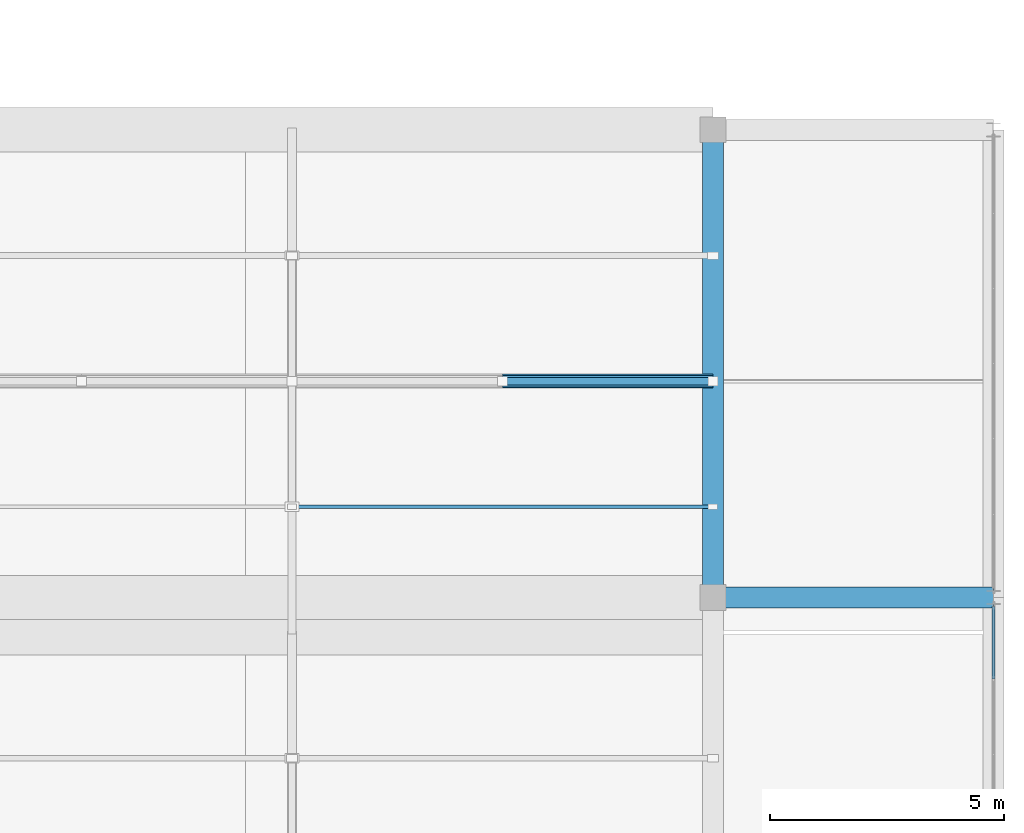
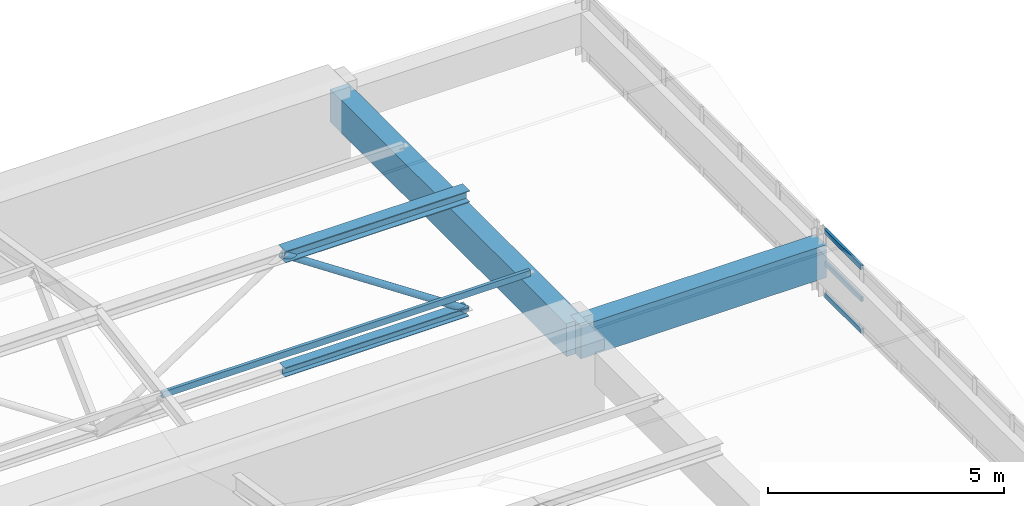
# One storey, part 58 of 82: 7 members, 2 beams, 1 element without a shape of its own.
"""IFC4 building model written with IfcOpenShell, lengths in metres."""

from ifc_helpers import new_model, si_unit, direction, frame, origin, origin_2d, place, context, subcontext, project, spatial, rectangle, hollow_rectangle, hollow_circle, i_section, extrude, material, layer, layer_set, material_profile, profile_set, type_object, element, aggregate, save


model = new_model("IFC4")

# Units and contexts
model_context = context("Model", 3, precision=1e-05, world=origin(), true_north=direction((0.0, 1.0)))
body_context = subcontext(model_context, "Body", "Model", "MODEL_VIEW")
ifc_project = project(units=[si_unit("LENGTHUNIT", "METRE"), si_unit("AREAUNIT", "SQUARE_METRE"), si_unit("VOLUMEUNIT", "CUBIC_METRE"), si_unit("PLANEANGLEUNIT", "RADIAN"), si_unit("MASSUNIT", "GRAM", prefix="KILO")], contexts=[model_context])

# Site, building, storey
site_placement = place(None, origin())
site = spatial("IfcSite", under=ifc_project, at=site_placement, CompositionType="ELEMENT")
building_placement = place(site_placement, origin())
building = spatial("IfcBuilding", under=site, at=building_placement, Name="Mersad Railyard Sports Hall", CompositionType="ELEMENT")
storey_placement = place(building_placement, frame((0.0, 0.0, 13.199951171875)))
storey = spatial("IfcBuildingStorey", under=building, at=storey_placement, Name="L03", CompositionType="ELEMENT", Elevation=13.199951171875)

# Curtain wall, members
ifc_material_1 = material(Name="Aluminium 6063-T6", Category="aluminium")
ifc_layer = layer(ifc_material_1, 0.159912109375)
ifc_layer_set = layer_set([ifc_layer], Name="Aluminium 6063-T6")
curtain_wall_type = type_object("IfcCurtainWallType", Name="ARC-CW-CW21", PredefinedType="USERDEFINED", material=ifc_layer_set)
curtain_wall_placement = place(storey_placement, origin())
curtain_wall = element("IfcCurtainWall", 1, at=curtain_wall_placement, inside=storey, type_object=curtain_wall_type, Name="Curtain wall CW21-0060", ObjectType="CURTAIN WALL", PredefinedType="USERDEFINED")
ifc_material_profile_1 = material_profile(ifc_material_1, hollow_rectangle(XDim=0.06005859375, YDim=0.1201171875, WallThickness=0.00390625, at=origin_2d()), Name="AL TRANSOM 60x120x4")
ifc_profile_set_1 = profile_set([ifc_material_profile_1], Name="Aluminium 6063-T6")
member_type_1 = type_object("IfcMemberType", Name="ARC-CW-TRN01", PredefinedType="USERDEFINED", material=ifc_profile_set_1)
member_1_placement = place(storey_placement, frame((179.0, 84.81005859375, 0.0400390625), z_axis=(0.0, -1.0, 0.0), x_axis=(1.0, 0.0, 0.0)))
member_1 = element("IfcMember", 2, at=member_1_placement, type_object=member_type_1, Name="CW21 Transom 1-1", ObjectType="TRANSOM", PredefinedType="USERDEFINED", context=body_context, shape_type="SweptSolid", body=[
    extrude(hollow_rectangle(XDim=0.06005859375, YDim=0.1201171875, WallThickness=0.00390625, at=origin_2d()), origin(), (0.0, 0.0, 1.0), 1.554443359375),
])
member_2_placement = place(storey_placement, frame((179.0, 84.81005859375, 0.864990234375), z_axis=(0.0, -1.0, 0.0), x_axis=(1.0, 0.0, 0.0)))
member_2 = element("IfcMember", 3, at=member_2_placement, type_object=member_type_1, Name="CW21 Transom 2-1", ObjectType="TRANSOM", PredefinedType="USERDEFINED", context=body_context, shape_type="SweptSolid", body=[
    extrude(hollow_rectangle(XDim=0.06005859375, YDim=0.1201171875, WallThickness=0.00390625, at=origin_2d()), origin(), (0.0, 0.0, 1.0), 1.554443359375),
])
member_3_placement = place(storey_placement, frame((179.0, 84.81005859375, 1.68994140625), z_axis=(0.0, -1.0, 0.0), x_axis=(1.0, 0.0, 0.0)))
member_3 = element("IfcMember", 4, at=member_3_placement, type_object=member_type_1, Name="CW21 Transom 3-1", ObjectType="TRANSOM", PredefinedType="USERDEFINED", context=body_context, shape_type="SweptSolid", body=[
    extrude(hollow_rectangle(XDim=0.06005859375, YDim=0.1201171875, WallThickness=0.00390625, at=origin_2d()), origin(), (0.0, 0.0, 1.0), 1.554443359375),
])
aggregate(curtain_wall, [member_1, member_2, member_3])

# Beams
ifc_material_2 = material(Name="Concrete C40/50", Category="concrete")
ifc_material_profile_2 = material_profile(ifc_material_2, rectangle(XDim=0.449951171875, YDim=0.85009765625, at=origin_2d()), Name="RC 450x850")
ifc_profile_set_2 = profile_set([ifc_material_profile_2], Name="Concrete C40/50")
beam_type = type_object("IfcBeamType", Name="STR-BM-B02", PredefinedType="BEAM", material=ifc_profile_set_2)
beam_1_placement = place(storey_placement, frame((173.0, 85.0, 0.925048828125), z_axis=(1.0, 0.0, 0.0), x_axis=(0.0, 1.0, 0.0)))
element("IfcBeam", 5, at=beam_1_placement, inside=storey, type_object=beam_type, Name="Beam B02-0915", PredefinedType="BEAM", context=body_context, shape_type="SweptSolid", body=[
    extrude(rectangle(XDim=0.449951171875, YDim=0.85009765625, at=origin_2d()), origin(), (0.0, 0.0, 1.0), 6.0),
])
beam_2_placement = place(storey_placement, frame((173.0, 85.0, 0.925048828125), z_axis=(0.0, 1.0, 0.0), x_axis=(-1.0, 0.0, 0.0)))
element("IfcBeam", 6, at=beam_2_placement, inside=storey, type_object=beam_type, Name="Beam B02-0918", PredefinedType="BEAM", context=body_context, shape_type="SweptSolid", body=[
    extrude(rectangle(XDim=0.449951171875, YDim=0.85009765625, at=origin_2d()), origin(), (0.0, 0.0, 1.0), 10.0),
])

# Members
ifc_material_3 = material(Name="Steel S355", Category="steel")
ifc_material_profile_3 = material_profile(ifc_material_3, hollow_circle(Radius=0.084228515625, WallThickness=0.008056640625, at=origin_2d()), Name="CHS 168.3x8")
ifc_profile_set_3 = profile_set([ifc_material_profile_3], Name="Steel S355")
member_type_2 = type_object("IfcMemberType", Name="STR-MEM-BR03", PredefinedType="BRACE", material=ifc_profile_set_3)
member_4_placement = place(storey_placement, frame((168.5, 89.625, 1.85009765625), z_axis=(0.832050294338, 0.0, -0.554700196225), x_axis=(0.0, 1.0, 0.0)))
element("IfcMember", 7, at=member_4_placement, inside=storey, type_object=member_type_2, Name="Structural member BR03-0281", PredefinedType="BRACE", context=body_context, shape_type="SweptSolid", body=[
    extrude(hollow_circle(Radius=0.084228515625, WallThickness=0.008056640625, at=origin_2d()), origin(), (0.0, 0.0, 1.0), 5.408447265625),
])
ifc_material_profile_4 = material_profile(ifc_material_3, i_section(OverallWidth=0.239990234375, OverallDepth=0.239990234375, WebThickness=0.010009765625, FlangeThickness=0.01708984375, at=origin_2d()), Name="HEB 240")
ifc_profile_set_4 = profile_set([ifc_material_profile_4], Name="Steel S355")
member_type_3 = type_object("IfcMemberType", Name="STR-MEM-CH01", PredefinedType="CHORD", material=ifc_profile_set_4)
member_5_placement = place(storey_placement, frame((168.5, 89.625, -1.14990234375), z_axis=(1.0, 0.0, 0.0), x_axis=(0.0, 1.0, 0.0)))
element("IfcMember", 8, at=member_5_placement, inside=storey, type_object=member_type_3, Name="Structural member CH01-0280", PredefinedType="CHORD", context=body_context, shape_type="SweptSolid", body=[
    extrude(i_section(OverallWidth=0.239990234375, OverallDepth=0.239990234375, WebThickness=0.010009765625, FlangeThickness=0.01708984375, at=origin_2d()), origin(), (0.0, 0.0, 1.0), 4.5),
])
ifc_material_profile_5 = material_profile(ifc_material_3, i_section(OverallWidth=0.300048828125, OverallDepth=0.300048828125, WebThickness=0.010986328125, FlangeThickness=0.01904296875, at=origin_2d()), Name="HEB 300")
ifc_profile_set_5 = profile_set([ifc_material_profile_5], Name="Steel S355")
member_type_4 = type_object("IfcMemberType", Name="STR-MEM-CH02", PredefinedType="CHORD", material=ifc_profile_set_5)
member_6_placement = place(storey_placement, frame((168.5, 89.625, 1.85009765625), z_axis=(1.0, 0.0, 0.0), x_axis=(0.0, 1.0, 0.0)))
element("IfcMember", 9, at=member_6_placement, inside=storey, type_object=member_type_4, Name="Structural member CH02-0279", PredefinedType="CHORD", context=body_context, shape_type="SweptSolid", body=[
    extrude(i_section(OverallWidth=0.300048828125, OverallDepth=0.300048828125, WebThickness=0.010986328125, FlangeThickness=0.01904296875, at=origin_2d()), origin(), (0.0, 0.0, 1.0), 4.5),
])
ifc_material_profile_6 = material_profile(ifc_material_3, hollow_rectangle(XDim=0.080078125, YDim=0.159912109375, WallThickness=0.008056640625, at=origin_2d()), Name="RHS 160x80x8")
ifc_profile_set_6 = profile_set([ifc_material_profile_6], Name="Steel S355")
member_type_5 = type_object("IfcMemberType", Name="STR-MEM-PU03", PredefinedType="PURLIN", material=ifc_profile_set_6)
member_7_placement = place(storey_placement, frame((164.0, 86.9375, 1.425048828125), z_axis=(1.0, 0.0, 0.0), x_axis=(0.0, 1.0, 0.0)))
element("IfcMember", 10, at=member_7_placement, inside=storey, type_object=member_type_5, Name="Structural member PU03-0300", PredefinedType="PURLIN", context=body_context, shape_type="SweptSolid", body=[
    extrude(hollow_rectangle(XDim=0.080078125, YDim=0.159912109375, WallThickness=0.008056640625, at=origin_2d()), origin(), (0.0, 0.0, 1.0), 9.0),
])

save(model, "model.ifc")
